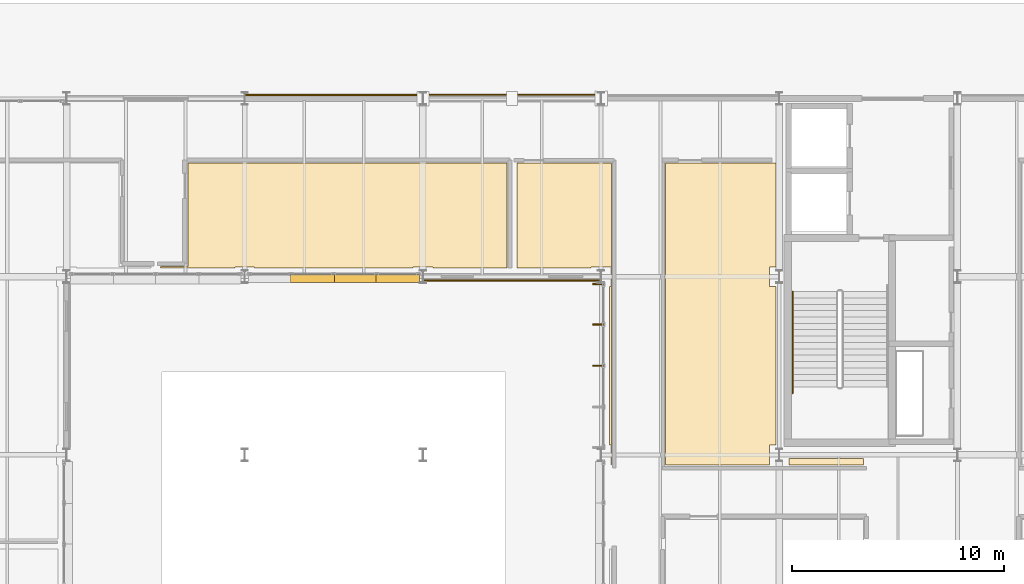
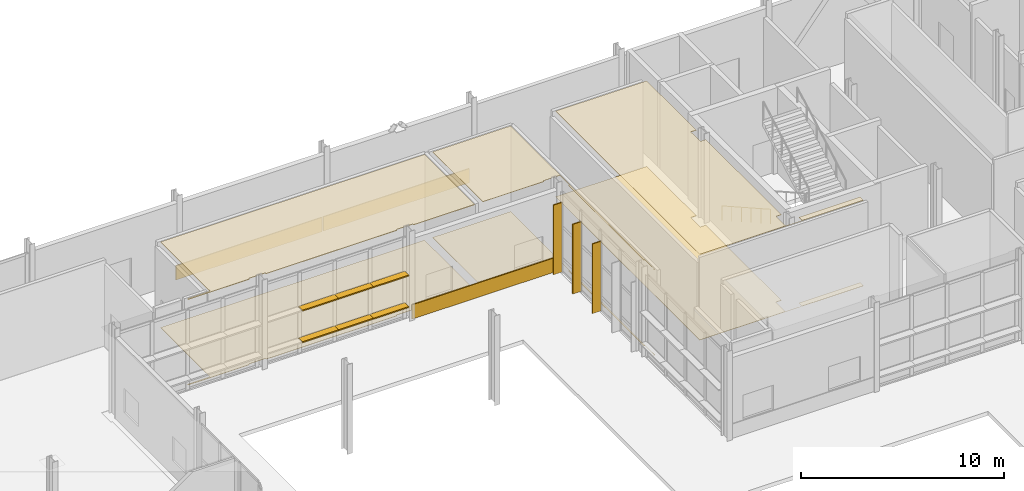
# One storey, part 120 of 124: 9 coverings, 9 shading devices, 1 railing.
"""IFC4 building model written with IfcOpenShell, lengths in metres."""

from ifc_helpers import new_model, si_unit, direction, frame, origin, origin_2d, place, context, subcontext, project, spatial, polyline, rectangle, circle, outline, extrude, material, layer, layer_set, type_object, element, save


model = new_model("IFC4")

# Units and contexts
model_context = context("Model", 3, precision=1e-05, world=origin(), true_north=direction((0.0, 1.0)))
body_context = subcontext(model_context, "Body", "Model", "MODEL_VIEW")
ifc_project = project(units=[si_unit("LENGTHUNIT", "METRE"), si_unit("AREAUNIT", "SQUARE_METRE"), si_unit("VOLUMEUNIT", "CUBIC_METRE"), si_unit("PLANEANGLEUNIT", "RADIAN"), si_unit("MASSUNIT", "GRAM", prefix="KILO")], contexts=[model_context])

# Site, building, storey
site_placement = place(None, origin())
site = spatial("IfcSite", under=ifc_project, at=site_placement, CompositionType="ELEMENT")
building_placement = place(site_placement, origin())
building = spatial("IfcBuilding", under=site, at=building_placement, Name="Mersafa Astral City Hall", CompositionType="ELEMENT")
storey_placement = place(building_placement, origin())
storey = spatial("IfcBuildingStorey", under=building, at=storey_placement, Name="L00", CompositionType="ELEMENT", Elevation=0.0)

# Coverings
ifc_material_1 = material(Name="Cairo Mokattam buff limestone cladding", Category="masonry")
ifc_layer_1 = layer(ifc_material_1, 0.06005859375, Name="Cairo Mokattam buff limestone cladding")
ifc_layer_set_1 = layer_set([ifc_layer_1], Name="Cairo Mokattam buff limestone cladding — ENV-COV-LIMESTONE-60")
covering_type_1 = type_object("IfcCoveringType", Name="ENV-COV-LIMESTONE-60", PredefinedType="CLADDING", material=ifc_layer_set_1)
for number, where, z_axis, x_axis, name in (
    (1, (138.60009765625, 117.423095703125, 0.0), (0.0, 0.0, 1.0), (1.0, 0.0, 0.0), "L00 Cairo buff limestone rainscreen cladding 20"),
    (2, (138.60009765625, 126.177001953125, 0.0), (0.0, 0.0, 1.0), (-1.0, 0.0, 0.0), "L00 Cairo buff limestone rainscreen cladding 35"),
    (3, (130.199951171875, 126.16943359375, 0.0), (0.0, 0.0, 1.0), (-1.0, 0.0, 0.0), "L00 Cairo buff limestone rainscreen cladding 36"),
):
    element("IfcCovering", number, at=place(storey_placement, frame(where, z_axis=z_axis, x_axis=x_axis)), inside=storey, type_object=covering_type_1, Name=name, PredefinedType="CLADDING", context=body_context, shape_type="SweptSolid", body=[
        extrude(rectangle(XDim=8.323974609375, YDim=0.06005859375, at=origin_2d()), origin(), (0.0, 0.0, 1.0), 0.860107421875),
    ])

# Shading devices
ifc_material_2 = material(Name="Anodised bronze aluminium solar fin", Category="aluminium")
shading_device_type_1 = type_object("IfcShadingDeviceType", Name="ENV-SHD-FIN-500B", PredefinedType="USERDEFINED", material=ifc_material_2)
for number, where, z_axis, x_axis, name in (
    (4, (142.655029296875, 117.258056640625, -0.01513671875), (0.0, 0.0, 1.0), (0.0, -1.0, 0.0), "L00 Vertical bronze solar fin 101"),
    (5, (142.655029296875, 115.343994140625, -0.01513671875), (0.0, 0.0, 1.0), (0.0, -1.0, 0.0), "L00 Vertical bronze solar fin 102"),
    (6, (142.655029296875, 113.39990234375, -0.01513671875), (0.0, 0.0, 1.0), (0.0, -1.0, 0.0), "L00 Vertical bronze solar fin 103"),
):
    element("IfcShadingDevice", number, at=place(storey_placement, frame(where, z_axis=z_axis, x_axis=x_axis)), inside=storey, type_object=shading_device_type_1, Name=name, ObjectType="FIN", PredefinedType="USERDEFINED", context=body_context, shape_type="SweptSolid", body=[
        extrude(rectangle(XDim=0.06005859375, YDim=0.5, at=origin_2d()), origin(), (0.0, 0.0, 1.0), 4.199951171875),
    ])
ifc_material_3 = material(Name="Kiln-dried cedar timber brise-soleil blade", Category="wood")
shading_device_type_2 = type_object("IfcShadingDeviceType", Name="ENV-SHD-LOUVRE-380", PredefinedType="JALOUSIE", material=ifc_material_3)
for number, where, z_axis, x_axis, name in (
    (7, (129.1904296875, 117.52001953125, 0.81494140625), (0.0, 0.0, 1.0), (1.0, 0.0, 0.0), "L00 Horizontal cedar brise-soleil louvre 94"),
    (8, (131.20947265625, 117.52001953125, 0.81494140625), (0.0, 0.0, 1.0), (1.0, 0.0, 0.0), "L00 Horizontal cedar brise-soleil louvre 95"),
):
    element("IfcShadingDevice", number, at=place(storey_placement, frame(where, z_axis=z_axis, x_axis=x_axis)), inside=storey, type_object=shading_device_type_2, Name=name, PredefinedType="JALOUSIE", context=body_context, shape_type="SweptSolid", body=[
        extrude(rectangle(XDim=2.05908203125, YDim=0.3798828125, at=origin_2d()), origin(), (0.0, 0.0, 1.0), 0.070068359375),
    ])
shading_device_1_placement = place(storey_placement, frame((133.21337890625, 117.52001953125, 0.81494140625), z_axis=(0.0, 0.0, 1.0), x_axis=(1.0, 0.0, 0.0)))
element("IfcShadingDevice", 9, at=shading_device_1_placement, inside=storey, type_object=shading_device_type_2, Name="L00 Horizontal cedar brise-soleil louvre 96", PredefinedType="JALOUSIE", context=body_context, shape_type="SweptSolid", body=[
    extrude(rectangle(XDim=2.029052734375, YDim=0.3798828125, at=origin_2d()), origin(), (0.0, 0.0, 1.0), 0.070068359375),
])
for number, where, z_axis, x_axis, name in (
    (10, (129.1904296875, 117.52001953125, 2.71484375), (0.0, 0.0, 1.0), (1.0, 0.0, 0.0), "L00 Horizontal cedar brise-soleil louvre 98"),
    (11, (131.20947265625, 117.52001953125, 2.71484375), (0.0, 0.0, 1.0), (1.0, 0.0, 0.0), "L00 Horizontal cedar brise-soleil louvre 99"),
):
    element("IfcShadingDevice", number, at=place(storey_placement, frame(where, z_axis=z_axis, x_axis=x_axis)), inside=storey, type_object=shading_device_type_2, Name=name, PredefinedType="JALOUSIE", context=body_context, shape_type="SweptSolid", body=[
        extrude(rectangle(XDim=2.05908203125, YDim=0.3798828125, at=origin_2d()), origin(), (0.0, 0.0, 1.0), 0.070068359375),
    ])
shading_device_2_placement = place(storey_placement, frame((133.21337890625, 117.52001953125, 2.71484375), z_axis=(0.0, 0.0, 1.0), x_axis=(1.0, 0.0, 0.0)))
element("IfcShadingDevice", 12, at=shading_device_2_placement, inside=storey, type_object=shading_device_type_2, Name="L00 Horizontal cedar brise-soleil louvre 100", PredefinedType="JALOUSIE", context=body_context, shape_type="SweptSolid", body=[
    extrude(rectangle(XDim=2.029052734375, YDim=0.3798828125, at=origin_2d()), origin(), (0.0, 0.0, 1.0), 0.070068359375),
])

# Railing
ifc_material_4 = material(Name="Brushed stainless steel tubular handrail", Category="steel")
railing_type = type_object("IfcRailingType", Name="HANDRAIL", PredefinedType="HANDRAIL", material=ifc_material_4)
railing_placement = place(storey_placement, frame((151.830078125, 116.89990234375, 0.168701171875)))
element("IfcRailing", 13, at=railing_placement, inside=storey, type_object=railing_type, Name="L00 ST1 stair handrail 1", PredefinedType="HANDRAIL", context=body_context, shape_type="SweptSolid", body=[
    extrude(circle(Radius=0.02392578125, at=origin_2d()), frame((0.0, 0.0, 0.8759765625), z_axis=(0.0, -0.871324497418, 0.49070726528), x_axis=(1.0, 0.0, 0.0)), (0.0, 0.0, 1.0), 5.508544921875),
    extrude(circle(Radius=0.02099609375, at=origin_2d()), origin(), (0.0, 0.0, 1.0), 0.851806640625),
    extrude(circle(Radius=0.02099609375, at=origin_2d()), frame((0.0, -0.9599609375, 0.54052734375)), (0.0, 0.0, 1.0), 0.851806640625),
    extrude(circle(Radius=0.02099609375, at=origin_2d()), frame((0.0, -1.919921875, 1.081298828125)), (0.0, 0.0, 1.0), 0.851806640625),
    extrude(circle(Radius=0.02099609375, at=origin_2d()), frame((0.0, -2.8798828125, 1.621826171875)), (0.0, 0.0, 1.0), 0.851806640625),
    extrude(circle(Radius=0.02099609375, at=origin_2d()), frame((0.0, -3.83984375, 2.16259765625)), (0.0, 0.0, 1.0), 0.851806640625),
    extrude(circle(Radius=0.02099609375, at=origin_2d()), frame((0.0, -4.7998046875, 2.703125)), (0.0, 0.0, 1.0), 0.851806640625),
])

# Coverings
ifc_material_5 = material(Name="Perforated acoustic gypsum board ceiling", Category="gypsum")
ifc_layer_2 = layer(ifc_material_5, 0.02490234375, Name="Perforated acoustic gypsum board ceiling")
ifc_layer_set_2 = layer_set([ifc_layer_2], Name="Perforated acoustic gypsum board ceiling — INT-COV-CEIL-25")
covering_type_2 = type_object("IfcCoveringType", Name="INT-COV-CEIL-25", PredefinedType="CEILING", material=ifc_layer_set_2)
covering_1_placement = place(storey_placement, frame((0.0, 0.0, 5.156005859375)))
element("IfcCovering", 14, at=covering_1_placement, inside=storey, type_object=covering_type_2, Name="L00 Public Hearings Auditorium L00-14 acoustic ceiling", PredefinedType="CEILING", context=body_context, shape_type="SweptSolid", body=[
    extrude(outline(polyline([(151.0400390625, 122.9599609375), (151.0400390625, 118.070068359375), (150.72998046875, 118.070068359375), (150.72998046875, 117.1298828125), (151.0400390625, 117.1298828125), (151.0400390625, 109.669921875), (150.72998046875, 109.669921875), (150.72998046875, 108.72998046875), (151.669921875, 108.72998046875), (151.669921875, 109.0400390625), (155.169921875, 109.0400390625), (155.169921875, 108.719970703125), (145.840087890625, 108.719970703125), (145.840087890625, 122.9599609375), (151.0400390625, 122.9599609375)])), origin(), (0.0, 0.0, 1.0), 0.02490234375),
])
covering_2_placement = place(storey_placement, frame((0.0, 0.0, 5.156005859375)))
element("IfcCovering", 15, at=covering_2_placement, inside=storey, type_object=covering_type_2, Name="L00 Public Restroom L00-29 acoustic ceiling", PredefinedType="CEILING", context=body_context, shape_type="SweptSolid", body=[
    extrude(outline(polyline([(138.830078125, 118.0), (138.830078125, 122.9599609375), (143.280029296875, 122.9599609375), (143.280029296875, 108.719970703125), (143.199951171875, 108.719970703125), (143.199951171875, 108.72998046875), (143.27001953125, 108.72998046875), (143.27001953125, 109.669921875), (143.199951171875, 109.669921875), (143.199951171875, 117.1298828125), (143.27001953125, 117.1298828125), (143.27001953125, 118.070068359375), (142.330078125, 118.070068359375), (142.330078125, 118.0), (138.830078125, 118.0)])), origin(), (0.0, 0.0, 1.0), 0.02490234375),
])
ifc_material_6 = material(Name="Slatted cedar timber acoustic baffle ceiling", Category="wood")
ifc_layer_3 = layer(ifc_material_6, 0.034912109375, Name="Slatted cedar timber acoustic baffle ceiling")
ifc_layer_set_3 = layer_set([ifc_layer_3], Name="Slatted cedar timber acoustic baffle ceiling — INT-COV-CEIL-35")
covering_type_3 = type_object("IfcCoveringType", Name="INT-COV-CEIL-35", PredefinedType="CEILING", material=ifc_layer_set_3)
covering_3_placement = place(storey_placement, frame((0.0, 0.0, 5.14599609375)))
element("IfcCovering", 16, at=covering_3_placement, inside=storey, type_object=covering_type_3, Name="L00 Civic Exhibition Gallery L00-15 acoustic ceiling", PredefinedType="CEILING", context=body_context, shape_type="SweptSolid", body=[
    extrude(outline(polyline([(138.3701171875, 122.9599609375), (138.3701171875, 118.0), (134.8701171875, 118.0), (134.8701171875, 118.070068359375), (133.929931640625, 118.070068359375), (133.929931640625, 118.0), (126.469970703125, 118.0), (126.469970703125, 118.070068359375), (125.530029296875, 118.070068359375), (125.530029296875, 118.0), (122.030029296875, 118.0), (122.030029296875, 118.080078125), (123.320068359375, 118.080078125), (123.320068359375, 122.9599609375), (138.3701171875, 122.9599609375)])), origin(), (0.0, 0.0, 1.0), 0.034912109375),
])
ifc_material_7 = material(Name="Honed Cairo limestone terrazzo flooring", Category="masonry")
ifc_layer_4 = layer(ifc_material_7, 0.02001953125, Name="Honed Cairo limestone terrazzo flooring")
ifc_layer_set_4 = layer_set([ifc_layer_4], Name="Honed Cairo limestone terrazzo flooring — INT-COV-FLR-20")
covering_type_4 = type_object("IfcCoveringType", Name="INT-COV-FLR-20", PredefinedType="FLOORING", material=ifc_layer_set_4)
covering_4_placement = place(storey_placement, frame((0.0, 0.0, -0.00146484375)))
element("IfcCovering", 17, at=covering_4_placement, inside=storey, type_object=covering_type_4, Name="L00 Public Hearings Auditorium L00-14 architectural flooring", PredefinedType="FLOORING", context=body_context, shape_type="SweptSolid", body=[
    extrude(outline(polyline([(151.0400390625, 122.9599609375), (151.0400390625, 118.070068359375), (150.72998046875, 118.070068359375), (150.72998046875, 117.1298828125), (151.0400390625, 117.1298828125), (151.0400390625, 109.669921875), (150.72998046875, 109.669921875), (150.72998046875, 108.72998046875), (151.669921875, 108.72998046875), (151.669921875, 109.0400390625), (155.169921875, 109.0400390625), (155.169921875, 108.719970703125), (145.840087890625, 108.719970703125), (145.840087890625, 122.9599609375), (151.0400390625, 122.9599609375)])), origin(), (0.0, 0.0, 1.0), 0.02001953125),
])
covering_5_placement = place(storey_placement, frame((0.0, 0.0, -0.00146484375)))
element("IfcCovering", 18, at=covering_5_placement, inside=storey, type_object=covering_type_4, Name="L00 Civic Exhibition Gallery L00-15 architectural flooring", PredefinedType="FLOORING", context=body_context, shape_type="SweptSolid", body=[
    extrude(outline(polyline([(138.3701171875, 122.9599609375), (138.3701171875, 118.0), (134.8701171875, 118.0), (134.8701171875, 118.070068359375), (133.929931640625, 118.070068359375), (133.929931640625, 118.0), (126.469970703125, 118.0), (126.469970703125, 118.070068359375), (125.530029296875, 118.070068359375), (125.530029296875, 118.0), (122.030029296875, 118.0), (122.030029296875, 118.080078125), (123.320068359375, 118.080078125), (123.320068359375, 122.9599609375), (138.3701171875, 122.9599609375)])), origin(), (0.0, 0.0, 1.0), 0.02001953125),
])
covering_6_placement = place(storey_placement, frame((0.0, 0.0, -0.00146484375)))
element("IfcCovering", 19, at=covering_6_placement, inside=storey, type_object=covering_type_4, Name="L00 Public Restroom L00-29 architectural flooring", PredefinedType="FLOORING", context=body_context, shape_type="SweptSolid", body=[
    extrude(outline(polyline([(138.830078125, 118.0), (138.830078125, 122.9599609375), (143.280029296875, 122.9599609375), (143.280029296875, 108.719970703125), (143.199951171875, 108.719970703125), (143.199951171875, 108.72998046875), (143.27001953125, 108.72998046875), (143.27001953125, 109.669921875), (143.199951171875, 109.669921875), (143.199951171875, 117.1298828125), (143.27001953125, 117.1298828125), (143.27001953125, 118.070068359375), (142.330078125, 118.070068359375), (142.330078125, 118.0), (138.830078125, 118.0)])), origin(), (0.0, 0.0, 1.0), 0.02001953125),
])

save(model, "model.ifc")
